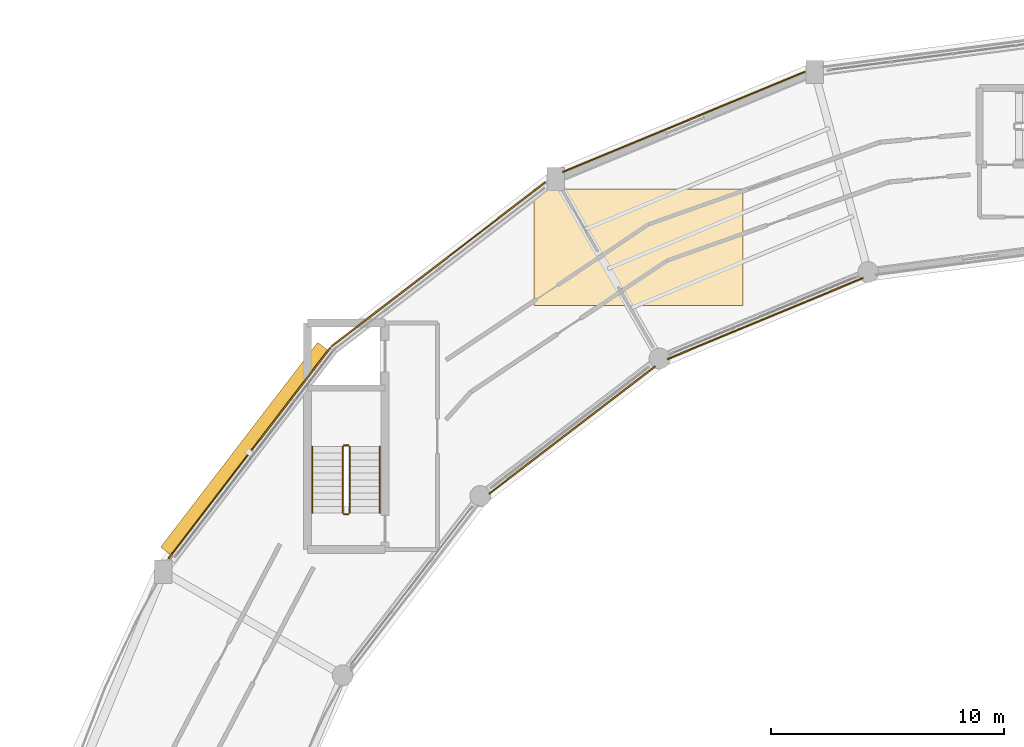
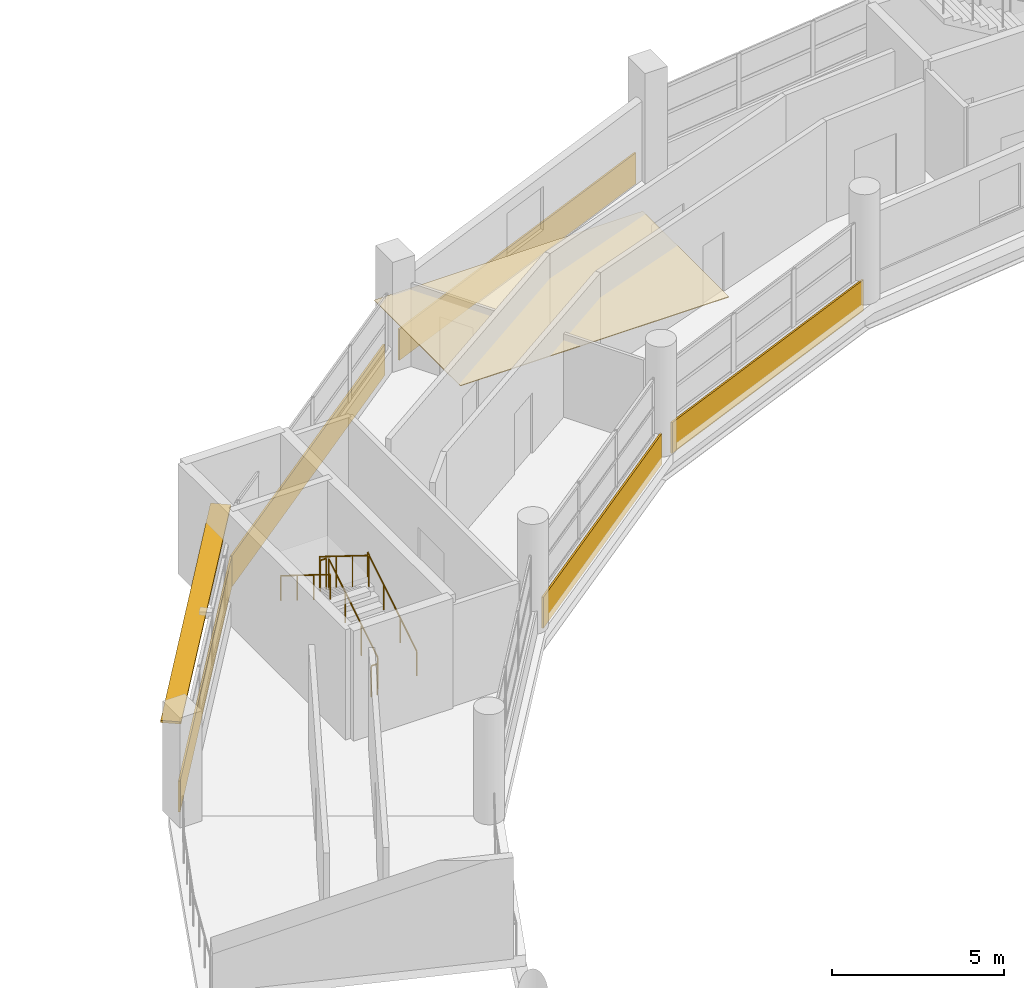
# One storey, part 104 of 108: 6 coverings, 6 railings, 1 shading device.
"""IFC4 building model written with IfcOpenShell, lengths in metres."""

import ifcopenshell
import ifcopenshell.guid

model = None  # the IFC model being written
_history = None  # IfcOwnerHistory: only IFC2X3 demands one
_inside = {}  # id of a spatial element -> (the spatial element, [elements in it])
_under = {}  # id of a project, library or spatial element -> (it, [spatial elements below it])
_declared = {}  # id of a project -> (the project, [libraries it declares])
_typed = {}  # id of a type object -> (the type object, [elements of that type])
_made_of = {}  # id of a material, layer set ... -> (it, [elements and type objects made of it])


def new_model(schema):
    """Start an empty IFC model of exactly this schema.

    Asked for "IFC4X3", IfcOpenShell would pick the latest addendum, in which some entities
    have other attributes; the version numbers below select the first issue.
    IFC2X3 requires an IfcOwnerHistory on every rooted entity: one is made here for all.
    """
    global model, _history
    if schema == "IFC4X3":
        model = ifcopenshell.file(schema_version=(4, 3, 0, 0))
    else:
        model = ifcopenshell.file(schema=schema)
    _inside.clear()
    _under.clear()
    _declared.clear()
    _typed.clear()
    _made_of.clear()
    _history = None
    if model.schema == "IFC2X3":
        org = make("IfcOrganization", Name="unknown")
        user = make(
            "IfcPersonAndOrganization",
            ThePerson=make("IfcPerson", FamilyName="unknown"),
            TheOrganization=org,
        )
        app = make(
            "IfcApplication",
            ApplicationDeveloper=org,
            Version="unknown",
            ApplicationFullName="unknown",
            ApplicationIdentifier="unknown",
        )
        _history = make(
            "IfcOwnerHistory",
            OwningUser=user,
            OwningApplication=app,
            ChangeAction="ADDED",
            CreationDate=0,
        )
    return model


def make(cls, **values):
    """One entity of the class cls with the attributes given. An attribute that is None is left unset."""
    return model.create_entity(
        cls, **{name: value for name, value in values.items() if value is not None}
    )


def rooted(cls, **values):
    """An entity with a GlobalId (a new one), such as an element, a storey or a relation."""
    return make(cls, GlobalId=ifcopenshell.guid.new(), OwnerHistory=_history, **values)


def si_unit(unit_type, name, prefix=None):
    """IfcSIUnit, for example si_unit("LENGTHUNIT", "METRE", prefix="MILLI")."""
    return make("IfcSIUnit", UnitType=unit_type, Prefix=prefix, Name=name)


def assignment(units):
    """IfcUnitAssignment: the units of a project."""
    return None if units is None else make("IfcUnitAssignment", Units=units)


def point(xyz):
    """IfcCartesianPoint."""
    return None if xyz is None else make("IfcCartesianPoint", Coordinates=xyz)


def direction(xyz):
    """IfcDirection."""
    return None if xyz is None else make("IfcDirection", DirectionRatios=xyz)


def frame(location, z_axis=None, x_axis=None):
    """IfcAxis2Placement3D, a coordinate frame: its origin and axes. An axis left out is left unset."""
    return make(
        "IfcAxis2Placement3D",
        Location=point(location),
        Axis=direction(z_axis),
        RefDirection=direction(x_axis),
    )


def frame_2d(location, x_axis=None):
    """IfcAxis2Placement2D, a coordinate frame in the plane: its origin and x axis."""
    return make(
        "IfcAxis2Placement2D", Location=point(location), RefDirection=direction(x_axis)
    )


def origin():
    """The frame at (0, 0, 0) with its axes left unset."""
    return frame((0.0, 0.0, 0.0))


def origin_2d():
    """The frame at (0, 0) in the plane with its x axis left unset."""
    return frame_2d((0.0, 0.0))


def place(relative_to, where):
    """IfcLocalPlacement: puts the frame where relative to a parent placement (None: the world)."""
    return make(
        "IfcLocalPlacement", PlacementRelTo=relative_to, RelativePlacement=where
    )


def context(
    kind, dimensions, precision=None, world=None, true_north=None, identifier=None
):
    """IfcGeometricRepresentationContext, for example the 3D "Model" context."""
    return make(
        "IfcGeometricRepresentationContext",
        ContextIdentifier=identifier,
        ContextType=kind,
        CoordinateSpaceDimension=dimensions,
        Precision=precision,
        WorldCoordinateSystem=world,
        TrueNorth=true_north,
    )


def subcontext(parent, identifier, kind, view, scale=None):
    """IfcGeometricRepresentationSubContext, for example "Body" below "Model"."""
    return make(
        "IfcGeometricRepresentationSubContext",
        ContextIdentifier=identifier,
        ContextType=kind,
        ParentContext=parent,
        TargetScale=scale,
        TargetView=view,
    )


def project(units=None, contexts=None):
    """IfcProject with its units and contexts."""
    return rooted(
        "IfcProject",
        Name="project",
        RepresentationContexts=contexts,
        UnitsInContext=assignment(units),
    )


def spatial(cls, under=None, at=None, **own):
    """A site, building, storey or space (cls), placed at a placement, below another one or the project."""
    s = rooted(cls, ObjectPlacement=at, **own)
    if under is not None:
        _under.setdefault(under.id(), (under, []))[1].append(s)
    return s


def polyline(points):
    """IfcPolyline through the points."""
    return make("IfcPolyline", Points=[point(p) for p in points])


def profile(cls, at=None, kind="AREA", **sizes):
    """A parametric profile (cls). Its sizes go by their IFC names, for example OverallWidth=200.0."""
    return make(cls, ProfileType=kind, Position=at, **sizes)


def rectangle(**sizes):
    """IfcRectangleProfileDef."""
    return profile("IfcRectangleProfileDef", **sizes)


def circle(**sizes):
    """IfcCircleProfileDef."""
    return profile("IfcCircleProfileDef", **sizes)


def outline(outer, holes=None, kind="AREA"):
    """IfcArbitraryClosedProfileDef: a profile drawn as a closed curve; with holes, ...WithVoids."""
    if holes is None:
        return make("IfcArbitraryClosedProfileDef", ProfileType=kind, OuterCurve=outer)
    return make(
        "IfcArbitraryProfileDefWithVoids",
        ProfileType=kind,
        OuterCurve=outer,
        InnerCurves=holes,
    )


def extrude(swept, where, along, depth):
    """IfcExtrudedAreaSolid: the profile swept, set in the frame where, extruded along a direction by depth."""
    return make(
        "IfcExtrudedAreaSolid",
        SweptArea=swept,
        Position=where,
        ExtrudedDirection=direction(along),
        Depth=depth,
    )


def shape(context_of_items, identifier, shape_type, items):
    """IfcShapeRepresentation: the items that make up one representation, for example the "Body"."""
    return make(
        "IfcShapeRepresentation",
        ContextOfItems=context_of_items,
        RepresentationIdentifier=identifier,
        RepresentationType=shape_type,
        Items=items,
    )


def material(Name=None, Category=None):
    """IfcMaterial."""
    return make("IfcMaterial", Name=Name, Category=Category)


def layer(
    of_material, thickness, ventilated=None, Name=None, Category=None, Priority=None
):
    """IfcMaterialLayer: one layer of a wall or slab, of a material (None: an air gap)."""
    return make(
        "IfcMaterialLayer",
        Material=of_material,
        LayerThickness=thickness,
        IsVentilated=ventilated,
        Name=Name,
        Category=Category,
        Priority=Priority,
    )


def layer_set(layers, Name=None):
    """IfcMaterialLayerSet."""
    return make("IfcMaterialLayerSet", MaterialLayers=layers, LayerSetName=Name)


def made_of(thing, what):
    """Note that an element or type object is made of a material, layer set ...; save() writes the relation."""
    if what is not None:
        _made_of.setdefault(what.id(), (what, []))[1].append(thing)
    return thing


def type_object(cls, material=None, **own):
    """A type object (cls), such as IfcWallType, which elements share."""
    return made_of(rooted(cls, **own), material)


def element(
    cls,
    number,
    at=None,
    inside=None,
    cuts=None,
    type_object=None,
    material=None,
    context=None,
    identifier="Body",
    shape_type=None,
    held_by="IfcProductDefinitionShape",
    body=None,
    shapes=None,
    **own,
):
    """One element of the class cls, such as IfcWall. Its Tag is "e" and its number.

    at: its placement. inside: the storey or other place that contains it. cuts: it is an
    opening in that element (IfcRelVoidsElement). A single representation is given by context,
    identifier, shape_type and body (its items); several are given by shapes. held_by: the class
    of the entity that holds the representations. save() writes the other relations.
    """
    e = rooted(cls, Tag="e%d" % number, ObjectPlacement=at, **own)
    if body is not None:
        shapes = [shape(context, identifier, shape_type, body)]
    if shapes is not None:
        e.Representation = make(held_by, Representations=shapes)
    if inside is not None:
        _inside.setdefault(inside.id(), (inside, []))[1].append(e)
    if cuts is not None:
        rooted(
            "IfcRelVoidsElement", RelatingBuildingElement=cuts, RelatedOpeningElement=e
        )
    if type_object is not None:
        _typed.setdefault(type_object.id(), (type_object, []))[1].append(e)
    return made_of(e, material)


def aggregate(whole, parts):
    """IfcRelAggregates: a whole, such as a stair, and the parts it consists of."""
    return rooted("IfcRelAggregates", RelatingObject=whole, RelatedObjects=parts)


def save(model, path):
    """Write the relations noted so far, then the file.

    IfcRelAggregates (storeys below a building ...), IfcRelContainedInSpatialStructure (elements
    in a storey), IfcRelDefinesByType, IfcRelAssociatesMaterial and IfcRelDeclares: one each for
    every whole, place, type object, material and project.
    """
    for whole, parts in _under.values():
        aggregate(whole, parts)
    for where, things in _inside.values():
        rooted(
            "IfcRelContainedInSpatialStructure",
            RelatedElements=things,
            RelatingStructure=where,
        )
    for kind, things in _typed.values():
        rooted("IfcRelDefinesByType", RelatedObjects=things, RelatingType=kind)
    for what, things in _made_of.values():
        rooted("IfcRelAssociatesMaterial", RelatedObjects=things, RelatingMaterial=what)
    for by, libraries in _declared.values():
        rooted("IfcRelDeclares", RelatingContext=by, RelatedDefinitions=libraries)
    model.write(path)


model = new_model("IFC4")

# Units and contexts
model_context = context("Model", 3, precision=1e-05, world=origin(), true_north=direction((0.0, 1.0)))
body_context = subcontext(model_context, "Body", "Model", "MODEL_VIEW")
ifc_project = project(units=[si_unit("LENGTHUNIT", "METRE"), si_unit("AREAUNIT", "SQUARE_METRE"), si_unit("VOLUMEUNIT", "CUBIC_METRE"), si_unit("PLANEANGLEUNIT", "RADIAN"), si_unit("MASSUNIT", "GRAM", prefix="KILO")], contexts=[model_context])

# Site, building, storey
site_placement = place(None, origin())
site = spatial("IfcSite", under=ifc_project, at=site_placement, CompositionType="ELEMENT")
building_placement = place(site_placement, origin())
building = spatial("IfcBuilding", under=site, at=building_placement, Name="Vespera Passage Community Centre", CompositionType="ELEMENT")
storey_placement = place(building_placement, frame((0.0, 0.0, 12.60009765625)))
storey = spatial("IfcBuildingStorey", under=building, at=storey_placement, Name="L03", CompositionType="ELEMENT", Elevation=12.60009765625)

# Coverings
ifc_material_1 = material(Name="Acoustic mineral-fibre tile")
ifc_layer_1 = layer(ifc_material_1, 0.02490234375)
ifc_layer_set_1 = layer_set([ifc_layer_1], Name="Acoustic mineral-fibre tile")
covering_type_1 = type_object("IfcCoveringType", Name="COV-CEIL-25I", PredefinedType="CEILING", material=ifc_layer_set_1)
covering_1_placement = place(storey_placement, frame((0.0, 0.0, 2.699951171875)))
element("IfcCovering", 1, at=covering_1_placement, inside=storey, type_object=covering_type_1, Name="Music Studio Acoustic Ceiling", PredefinedType="CEILING", context=body_context, shape_type="SweptSolid", body=[
    extrude(outline(polyline([(54.0, 100.0), (63.0, 100.0), (63.0, 105.0), (54.0, 105.0), (54.0, 100.0)])), origin(), (0.0, 0.0, 1.0), 0.02490234375),
])
ifc_material_2 = material(Name="Precast concrete f'c 40 MPa", Category="concrete")
ifc_layer_2 = layer(ifc_material_2, 0.06005859375)
ifc_layer_set_2 = layer_set([ifc_layer_2], Name="Precast concrete f'c 40 MPa")
covering_type_2 = type_object("IfcCoveringType", Name="COV-CLAD-60E", PredefinedType="CLADDING", material=ifc_layer_set_2)
covering_2_placement = place(storey_placement, frame((55.23681640625, 105.726806640625, -0.280029296875), z_axis=(0.0, 0.0, 1.0), x_axis=(0.923883530636, 0.382673779896, 0.0)))
element("IfcCovering", 2, at=covering_2_placement, inside=storey, type_object=covering_type_2, Name="V4 L03 Outer White Sill Band O7", PredefinedType="CLADDING", context=body_context, shape_type="SweptSolid", body=[
    extrude(rectangle(XDim=11.2724609375, YDim=0.06005859375, at=frame_2d((5.63623046875, 0.0))), origin(), (0.0, 0.0, 1.0), 1.099853515625),
])
covering_3_placement = place(storey_placement, frame((68.154296875, 101.174560546875, -0.280029296875), z_axis=(0.0, 0.0, 1.0), x_axis=(-0.92387477551, -0.38269491658, 0.0)))
element("IfcCovering", 3, at=covering_3_placement, inside=storey, type_object=covering_type_2, Name="V4 L03 Inner Court White Spandrel Band I7", PredefinedType="CLADDING", context=body_context, shape_type="SweptSolid", body=[
    extrude(rectangle(XDim=9.11181640625, YDim=0.06005859375, at=frame_2d((4.555908203125, 0.0))), origin(), (0.0, 0.0, 1.0), 1.099853515625),
])
covering_4_placement = place(storey_placement, frame((45.298828125, 98.232421875, -0.280029296875), z_axis=(0.0, 0.0, 1.0), x_axis=(0.793347191248, 0.608769442514, 0.0)))
element("IfcCovering", 4, at=covering_4_placement, inside=storey, type_object=covering_type_2, Name="V4 L03 Outer White Spandrel Band O8", PredefinedType="CLADDING", context=body_context, shape_type="SweptSolid", body=[
    extrude(rectangle(XDim=11.5869140625, YDim=0.06005859375, at=frame_2d((5.79345703125, 0.0))), origin(), (0.0, 0.0, 1.0), 1.099853515625),
])
covering_5_placement = place(storey_placement, frame((59.214111328125, 97.378173828125, -0.280029296875), z_axis=(0.0, 0.0, 1.0), x_axis=(-0.793350132061, -0.608765610033, 0.0)))
element("IfcCovering", 5, at=covering_5_placement, inside=storey, type_object=covering_type_2, Name="V4 L03 Inner Court White Spandrel Band I8", PredefinedType="CLADDING", context=body_context, shape_type="SweptSolid", body=[
    extrude(rectangle(XDim=9.004638671875, YDim=0.06005859375, at=frame_2d((4.50244140625, 0.0))), origin(), (0.0, 0.0, 1.0), 1.099853515625),
])
covering_6_placement = place(storey_placement, frame((38.301025390625, 89.122314453125, -0.280029296875), z_axis=(0.0, 0.0, 1.0), x_axis=(0.608766951842, 0.793349102441, 0.0)))
element("IfcCovering", 6, at=covering_6_placement, inside=storey, type_object=covering_type_2, Name="V4 L03 Outer White Spandrel Band O9", PredefinedType="CLADDING", context=body_context, shape_type="SweptSolid", body=[
    extrude(rectangle(XDim=11.443603515625, YDim=0.06005859375, at=frame_2d((5.7216796875, 0.0))), origin(), (0.0, 0.0, 1.0), 1.099853515625),
])

# Railings
ifc_material_3 = material(Name="Steel ASTM A500 Grade C", Category="steel")
railing_type_1 = type_object("IfcRailingType", Name="RL-HAND-900I", PredefinedType="HANDRAIL", material=ifc_material_3)
railing_1_placement = place(storey_placement, frame((47.383056640625, 91.077880859375, 0.17724609375)))
element("IfcRailing", 7, at=railing_1_placement, inside=storey, type_object=railing_type_1, Name="L03 ST03 stair handrail 1", PredefinedType="HANDRAIL", context=body_context, shape_type="SweptSolid", body=[
    extrude(circle(Radius=0.02392578125, at=origin_2d()), frame((0.0, 0.0, 0.8759765625), z_axis=(0.0, 0.849148672731, 0.528153890072), x_axis=(-1.0, 0.0, 0.0)), (0.0, 0.0, 1.0), 3.3564453125),
    extrude(circle(Radius=0.02099609375, at=origin_2d()), origin(), (0.0, 0.0, 1.0), 0.851806640625),
    extrude(circle(Radius=0.02099609375, at=origin_2d()), frame((0.0, 0.949951171875, 0.5908203125)), (0.0, 0.0, 1.0), 0.851806640625),
    extrude(circle(Radius=0.02099609375, at=origin_2d()), frame((0.0, 1.900146484375, 1.181884765625)), (0.0, 0.0, 1.0), 0.851806640625),
    extrude(circle(Radius=0.02099609375, at=origin_2d()), frame((0.0, 2.85009765625, 1.772705078125)), (0.0, 0.0, 1.0), 0.851806640625),
])
railing_2_placement = place(storey_placement, frame((44.48291015625, 93.927978515625, 2.127197265625)))
element("IfcRailing", 8, at=railing_2_placement, inside=storey, type_object=railing_type_1, Name="L03 ST03 stair handrail 2", PredefinedType="HANDRAIL", context=body_context, shape_type="SweptSolid", body=[
    extrude(circle(Radius=0.02392578125, at=origin_2d()), frame((0.0, 0.0, 0.8759765625), z_axis=(0.0, -0.849148672731, 0.528153890072), x_axis=(1.0, 0.0, 0.0)), (0.0, 0.0, 1.0), 3.3564453125),
    extrude(circle(Radius=0.02099609375, at=origin_2d()), origin(), (0.0, 0.0, 1.0), 0.851806640625),
    extrude(circle(Radius=0.02099609375, at=origin_2d()), frame((0.0, -0.949951171875, 0.5908203125)), (0.0, 0.0, 1.0), 0.851806640625),
    extrude(circle(Radius=0.02099609375, at=origin_2d()), frame((0.0, -1.900146484375, 1.181884765625)), (0.0, 0.0, 1.0), 0.851806640625),
    extrude(circle(Radius=0.02099609375, at=origin_2d()), frame((0.0, -2.85009765625, 1.772705078125)), (0.0, 0.0, 1.0), 0.851806640625),
])
ifc_material_4 = material(Name="Steel ASTM A500 Grade C", Category="steel")
railing_type_2 = type_object("IfcRailingType", Name="RL-STAIR-1100I", PredefinedType="GUARDRAIL", material=ifc_material_4)
railing_3_placement = place(storey_placement, frame((46.0830078125, 91.077880859375, 0.17724609375)))
element("IfcRailing", 9, at=railing_3_placement, inside=storey, type_object=railing_type_2, Name="L03 ST03 stair guard 1", PredefinedType="GUARDRAIL", context=body_context, shape_type="SweptSolid", body=[
    extrude(circle(Radius=0.02392578125, at=origin_2d()), frame((0.0, 0.0, 1.09619140625), z_axis=(0.0, 0.849148672731, 0.528153890072), x_axis=(-1.0, 0.0, 0.0)), (0.0, 0.0, 1.0), 3.3564453125),
    extrude(circle(Radius=0.02099609375, at=origin_2d()), origin(), (0.0, 0.0, 1.0), 1.072021484375),
    extrude(circle(Radius=0.02099609375, at=origin_2d()), frame((0.0, 0.949951171875, 0.5908203125)), (0.0, 0.0, 1.0), 1.072021484375),
    extrude(circle(Radius=0.02099609375, at=origin_2d()), frame((0.0, 1.900146484375, 1.181884765625)), (0.0, 0.0, 1.0), 1.072021484375),
    extrude(circle(Radius=0.02099609375, at=origin_2d()), frame((0.0, 2.85009765625, 1.772705078125)), (0.0, 0.0, 1.0), 1.072021484375),
])
railing_4_placement = place(storey_placement, frame((46.032958984375, 93.97802734375, 1.949951171875)))
element("IfcRailing", 10, at=railing_4_placement, inside=storey, type_object=railing_type_2, Name="L03 ST03 stair guard 2", PredefinedType="GUARDRAIL", context=body_context, shape_type="SweptSolid", body=[
    extrude(circle(Radius=0.02392578125, at=origin_2d()), frame((0.0, 0.0, 1.09619140625), z_axis=(-1.0, 0.0, 0.0), x_axis=(0.0, -1.0, 0.0)), (0.0, 0.0, 1.0), 0.199951171875),
    extrude(circle(Radius=0.02099609375, at=origin_2d()), origin(), (0.0, 0.0, 1.0), 1.072021484375),
    extrude(circle(Radius=0.02099609375, at=origin_2d()), frame((-0.199951171875, 0.0, 0.0)), (0.0, 0.0, 1.0), 1.072021484375),
])
railing_5_placement = place(storey_placement, frame((45.782958984375, 93.927978515625, 2.127197265625)))
element("IfcRailing", 11, at=railing_5_placement, inside=storey, type_object=railing_type_2, Name="L03 ST03 stair guard 3", PredefinedType="GUARDRAIL", context=body_context, shape_type="SweptSolid", body=[
    extrude(circle(Radius=0.02392578125, at=origin_2d()), frame((0.0, 0.0, 1.09619140625), z_axis=(0.0, -0.849148672731, 0.528153890072), x_axis=(1.0, 0.0, 0.0)), (0.0, 0.0, 1.0), 3.3564453125),
    extrude(circle(Radius=0.02099609375, at=origin_2d()), origin(), (0.0, 0.0, 1.0), 1.072021484375),
    extrude(circle(Radius=0.02099609375, at=origin_2d()), frame((0.0, -0.949951171875, 0.5908203125)), (0.0, 0.0, 1.0), 1.072021484375),
    extrude(circle(Radius=0.02099609375, at=origin_2d()), frame((0.0, -1.900146484375, 1.181884765625)), (0.0, 0.0, 1.0), 1.072021484375),
    extrude(circle(Radius=0.02099609375, at=origin_2d()), frame((0.0, -2.85009765625, 1.772705078125)), (0.0, 0.0, 1.0), 1.072021484375),
])
railing_6_placement = place(storey_placement, frame((46.032958984375, 91.028076171875, 0.0)))
element("IfcRailing", 12, at=railing_6_placement, inside=storey, type_object=railing_type_2, Name="L03 ST03 stair guard 4", PredefinedType="GUARDRAIL", context=body_context, shape_type="SweptSolid", body=[
    extrude(circle(Radius=0.02392578125, at=origin_2d()), frame((0.0, 0.0, 1.09619140625), z_axis=(-1.0, 0.0, 0.0), x_axis=(0.0, -1.0, 0.0)), (0.0, 0.0, 1.0), 0.199951171875),
    extrude(circle(Radius=0.02099609375, at=origin_2d()), origin(), (0.0, 0.0, 1.0), 1.072021484375),
    extrude(circle(Radius=0.02099609375, at=origin_2d()), frame((-0.199951171875, 0.0, 0.0)), (0.0, 0.0, 1.0), 1.072021484375),
])

# Shading device
ifc_material_5 = material(Name="Anodized aluminium 6063-T6", Category="aluminium")
shading_device_type = type_object("IfcShadingDeviceType", Name="SHD-EYEBROW", PredefinedType="JALOUSIE", material=ifc_material_5)
shading_device_placement = place(storey_placement, frame((41.570068359375, 93.826171875, 2.70556640625), z_axis=(0.0, 0.0, 1.0), x_axis=(0.608761429009, 0.793353340291, 0.0)))
element("IfcShadingDevice", 13, at=shading_device_placement, inside=storey, type_object=shading_device_type, Name="V4 L03 Outer Solar Eyebrow 9", PredefinedType="JALOUSIE", context=body_context, shape_type="SweptSolid", body=[
    extrude(rectangle(XDim=11.093505859375, YDim=0.60009765625, at=origin_2d()), origin(), (0.0, 0.0, 1.0), 0.080078125),
])

save(model, "model.ifc")
